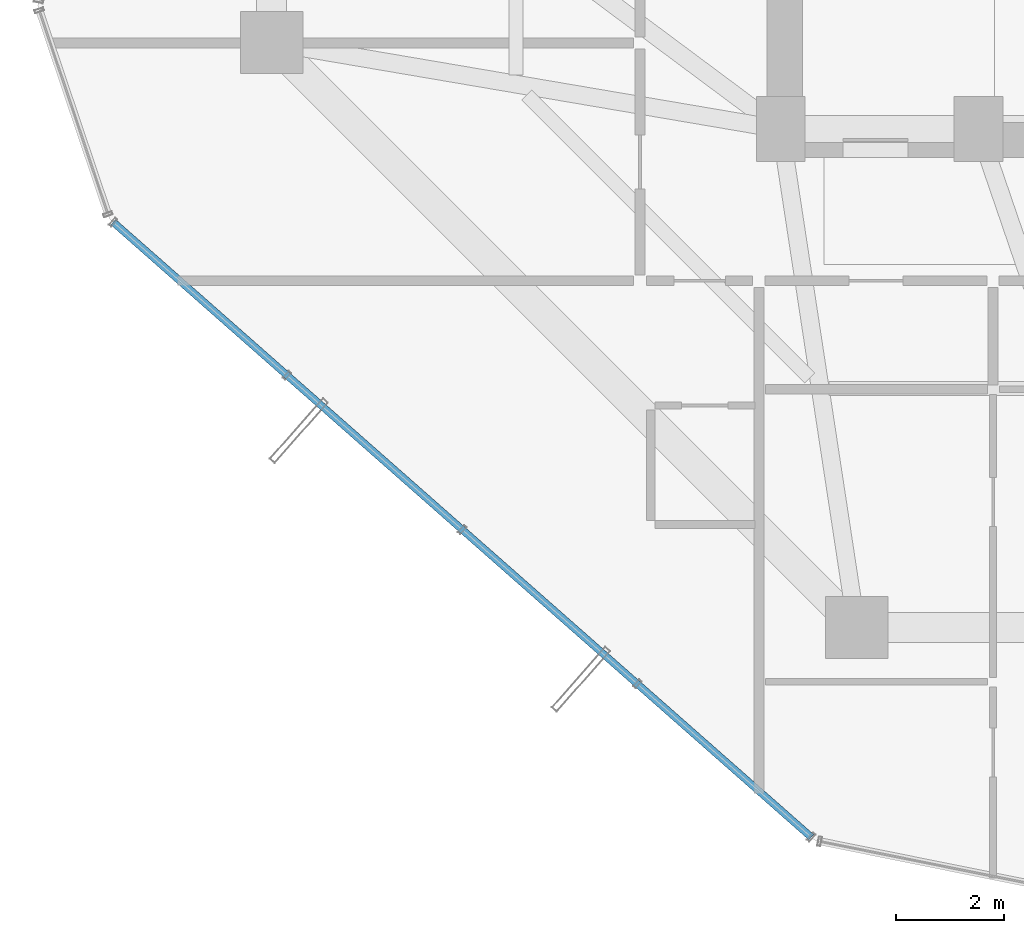
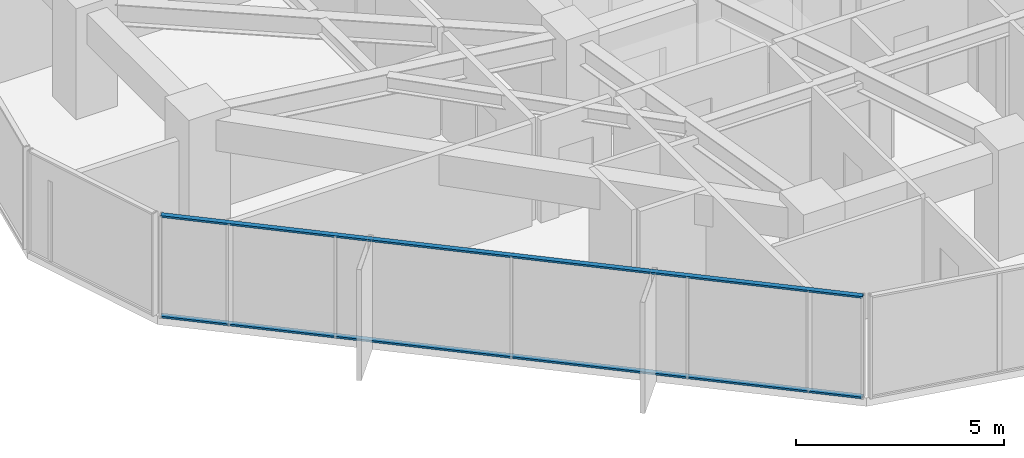
# One storey, part 3 of 32: 2 members, 1 element without a shape of its own.
"""IFC4 building model written with IfcOpenShell, lengths in metres."""

from ifc_helpers import new_model, si_unit, direction, frame, origin, origin_2d, place, context, subcontext, project, spatial, hollow_rectangle, extrude, source, transform, mapped, material, layer, layer_set, material_profile, profile_set, type_object, element, aggregate, save


model = new_model("IFC4")

# Units and contexts
model_context = context("Model", 3, precision=1e-05, world=origin(), true_north=direction((0.0, 1.0)))
body_context = subcontext(model_context, "Body", "Model", "MODEL_VIEW")
ifc_project = project(units=[si_unit("LENGTHUNIT", "METRE"), si_unit("AREAUNIT", "SQUARE_METRE"), si_unit("VOLUMEUNIT", "CUBIC_METRE"), si_unit("PLANEANGLEUNIT", "RADIAN"), si_unit("MASSUNIT", "GRAM", prefix="KILO")], contexts=[model_context])

# Site, building, storey
site_placement = place(None, origin())
site = spatial("IfcSite", under=ifc_project, at=site_placement, CompositionType="ELEMENT")
building_placement = place(site_placement, origin())
building = spatial("IfcBuilding", under=site, at=building_placement, Name="Veraguas Prism Commons", CompositionType="ELEMENT")
storey_placement = place(building_placement, frame((0.0, 0.0, 89.449951171875)))
storey = spatial("IfcBuildingStorey", under=building, at=storey_placement, Name="L24", CompositionType="ELEMENT", Elevation=89.449951171875)

# Curtain wall, members
ifc_material = material(Name="Anodised aluminium EN AW-6063 T6", Category="aluminium")
ifc_layer = layer(ifc_material, 0.169921875, Name="Unitised Flush Curtain Wall Zone 2", Category="aluminium")
ifc_layer_set = layer_set([ifc_layer], Name="Anodised aluminium EN AW-6063 T6")
curtain_wall_type = type_object("IfcCurtainWallType", Name="Unitised Flush Curtain Wall Zone 2", PredefinedType="NOTDEFINED", material=ifc_layer_set)
curtain_wall_placement = place(storey_placement, origin())
curtain_wall = element("IfcCurtainWall", 1, at=curtain_wall_placement, inside=storey, type_object=curtain_wall_type, Name="Tower Facade Curtain Wall L24-F4", PredefinedType="NOTDEFINED")
ifc_material_profile = material_profile(ifc_material, hollow_rectangle(XDim=0.054931640625, YDim=0.135009765625, WallThickness=0.0029296875, at=origin_2d()), Name="AL55X135X3")
ifc_profile_set = profile_set([ifc_material_profile], Name="Anodised aluminium EN AW-6063 T6")
member_type = type_object("IfcMemberType", Name="Curtain Wall Transom Standard AL 55x135x3", PredefinedType="USERDEFINED", material=ifc_profile_set)
shared_shape = source(origin(), body_context, "Body", "SweptSolid", [
    extrude(hollow_rectangle(XDim=0.054931640625, YDim=0.135009765625, WallThickness=0.0029296875, at=origin_2d()), origin(), (0.0, 0.0, 1.0), 17.17431640625),
])
member_1_placement = place(storey_placement, frame((4.876220703125, 15.283203125, 0.027587890625), z_axis=(0.750332972714, -0.661060080521, 0.0), x_axis=(0.0, 0.0, 1.0)))
member_1 = element("IfcMember", 2, at=member_1_placement, type_object=member_type, Name="CW-Z2 Transom 1", ObjectType="TRANSOM", PredefinedType="USERDEFINED", context=body_context, shape_type="MappedRepresentation", body=[
    mapped(shared_shape, transform((0.0, 0.0, 0.0), scale=1.0)),
])
member_2_placement = place(storey_placement, frame((4.876220703125, 15.283203125, 2.97265625), z_axis=(0.750332972714, -0.661060080521, 0.0), x_axis=(0.0, 0.0, 1.0)))
member_2 = element("IfcMember", 3, at=member_2_placement, type_object=member_type, Name="CW-Z2 Transom 2", ObjectType="TRANSOM", PredefinedType="USERDEFINED", context=body_context, shape_type="MappedRepresentation", body=[
    mapped(shared_shape, transform((0.0, 0.0, 0.0), scale=1.0)),
])
aggregate(curtain_wall, [member_1, member_2])

save(model, "model.ifc")
